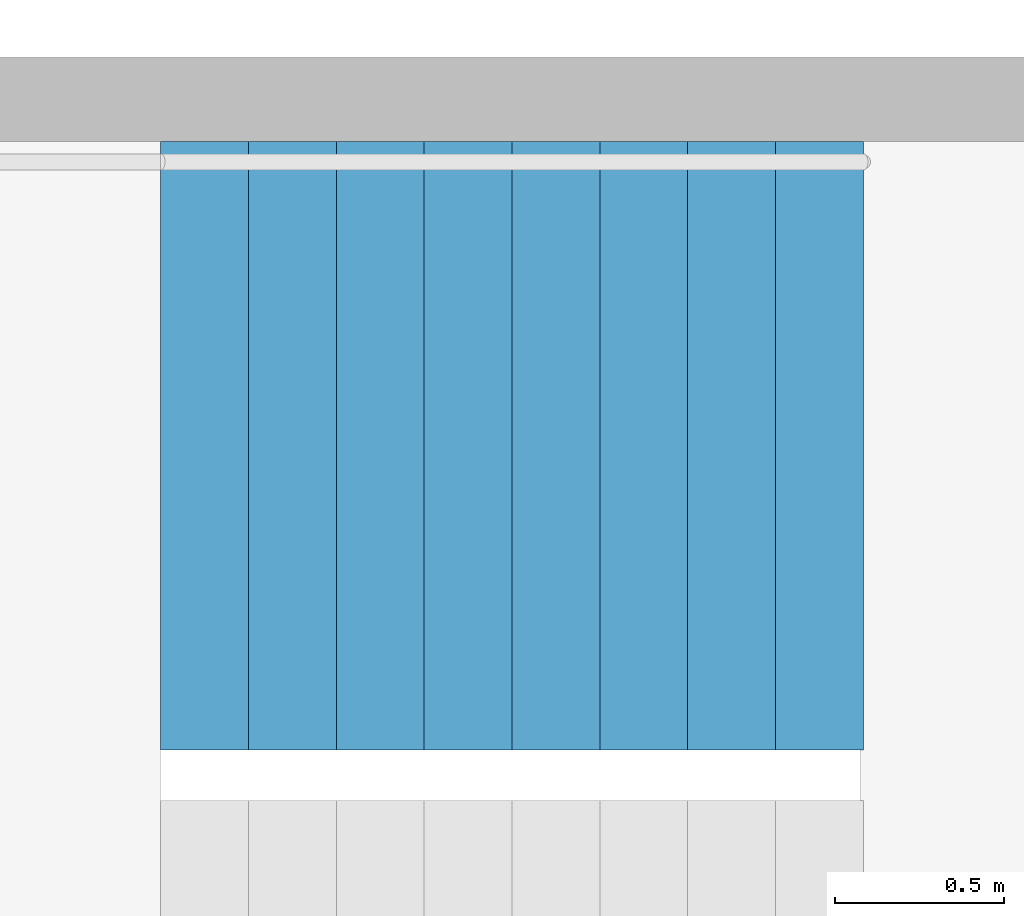
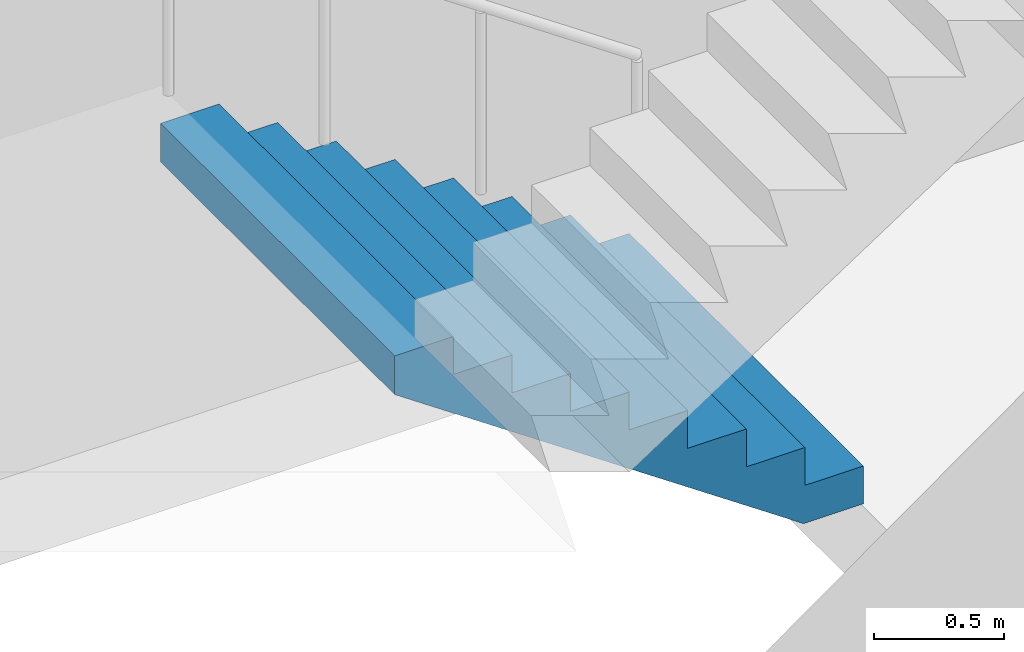
# One storey, part 34 of 42: 1 stair flight, 1 element without a shape of its own.
"""IFC4 building model written with IfcOpenShell, lengths in metres."""

from ifc_helpers import new_model, si_unit, direction, frame, origin, place, context, subcontext, project, spatial, triangles, material, type_object, element, aggregate, save


model = new_model("IFC4")

# Units and contexts
model_context = context("Model", 3, precision=1e-05, world=origin(), true_north=direction((0.0, 1.0)))
body_context = subcontext(model_context, "Body", "Model", "MODEL_VIEW")
ifc_project = project(units=[si_unit("LENGTHUNIT", "METRE"), si_unit("AREAUNIT", "SQUARE_METRE"), si_unit("VOLUMEUNIT", "CUBIC_METRE"), si_unit("PLANEANGLEUNIT", "RADIAN"), si_unit("MASSUNIT", "GRAM", prefix="KILO")], contexts=[model_context])

# Site, building, storey
site_placement = place(None, origin())
site = spatial("IfcSite", under=ifc_project, at=site_placement, CompositionType="ELEMENT")
building_placement = place(site_placement, origin())
building = spatial("IfcBuilding", under=site, at=building_placement, Name="Hakoniwa Tower and Hamabe Station Hall", CompositionType="ELEMENT")
storey_placement = place(building_placement, frame((0.0, 0.0, 19.800048828125)))
storey = spatial("IfcBuildingStorey", under=building, at=storey_placement, Name="L04", CompositionType="ELEMENT", Elevation=19.800048828125)

# Stair, stair flight
ifc_material_1 = material(Name="Concrete C40", Category="concrete")
stair_type = type_object("IfcStairType", Name="ESCAPE STAIR 1800", PredefinedType="HALF_TURN_STAIR", material=ifc_material_1)
stair_placement = place(storey_placement, origin())
stair = element("IfcStair", 1, at=stair_placement, inside=storey, type_object=stair_type, Name="Escape stair ST-2 L04", PredefinedType="HALF_TURN_STAIR")
ifc_material_2 = material(Name="Concrete C40", Category="concrete")
stair_flight_type = type_object("IfcStairFlightType", Name="STAIR FLIGHT 1800", PredefinedType="STRAIGHT", material=ifc_material_2)
stair_flight_placement = place(storey_placement, frame((-23.39990234375, -4.64990234375, 0.0), z_axis=(0.0, 0.0, 1.0), x_axis=(-1.0, 0.0, 0.0)))
stair_flight = element("IfcStairFlight", 2, at=stair_flight_placement, type_object=stair_flight_type, Name="ST-2 flight 1", NumberOfRisers=9, NumberOfTreads=8, PredefinedType="STRAIGHT", RiserHeight=0.177777778, TreadLength=0.26, context=body_context, shape_type="Tessellation", body=[
    triangles([(0.0, 0.89990234375, 0.0), (0.260009765625, 0.89990234375, 0.0), (0.265625, 0.89990234375, 0.0), (0.52001953125, 0.89990234375, 0.174072265625), (0.780029296875, 0.89990234375, 0.351806640625), (1.0400390625, 0.89990234375, 0.529541015625), (1.300048828125, 0.89990234375, 0.707275390625), (1.56005859375, 0.89990234375, 0.885009765625), (1.820068359375, 0.89990234375, 1.062744140625), (2.080078125, 0.89990234375, 1.24072265625), (2.080078125, 0.89990234375, 1.422119140625), (1.820068359375, 0.89990234375, 1.422119140625), (1.820068359375, 0.89990234375, 1.244384765625), (1.56005859375, 0.89990234375, 1.244384765625), (1.56005859375, 0.89990234375, 1.066650390625), (1.300048828125, 0.89990234375, 1.066650390625), (1.300048828125, 0.89990234375, 0.888916015625), (1.0400390625, 0.89990234375, 0.888916015625), (1.0400390625, 0.89990234375, 0.711181640625), (0.780029296875, 0.89990234375, 0.711181640625), (0.780029296875, 0.89990234375, 0.533447265625), (0.52001953125, 0.89990234375, 0.533447265625), (0.52001953125, 0.89990234375, 0.35546875), (0.265625, 0.89990234375, 0.35546875), (0.260009765625, 0.89990234375, 0.35546875), (0.260009765625, 0.89990234375, 0.177734375), (0.0, 0.89990234375, 0.177734375), (0.0, 0.06005859375, 0.0), (0.260009765625, 0.06005859375, 0.0), (0.265625, 0.06005859375, 0.0), (0.52001953125, 0.06005859375, 0.174072265625), (0.780029296875, 0.06005859375, 0.351806640625), (1.0400390625, 0.06005859375, 0.529541015625), (1.300048828125, 0.06005859375, 0.707275390625), (1.56005859375, 0.06005859375, 0.885009765625), (1.820068359375, 0.06005859375, 1.062744140625), (2.080078125, 0.06005859375, 1.24072265625), (2.080078125, 0.06005859375, 1.422119140625), (1.820068359375, 0.06005859375, 1.422119140625), (1.820068359375, 0.06005859375, 1.244384765625), (1.56005859375, 0.06005859375, 1.244384765625), (1.56005859375, 0.06005859375, 1.066650390625), (1.300048828125, 0.06005859375, 1.066650390625), (1.300048828125, 0.06005859375, 0.888916015625), (1.0400390625, 0.06005859375, 0.888916015625), (1.0400390625, 0.06005859375, 0.711181640625), (0.780029296875, 0.06005859375, 0.711181640625), (0.780029296875, 0.06005859375, 0.533447265625), (0.52001953125, 0.06005859375, 0.533447265625), (0.52001953125, 0.06005859375, 0.35546875), (0.265625, 0.06005859375, 0.35546875), (0.260009765625, 0.06005859375, 0.35546875), (0.260009765625, 0.06005859375, 0.177734375), (0.0, 0.06005859375, 0.177734375), (0.0, 0.04296875, 0.0), (0.260009765625, 0.04296875, 0.0), (0.265625, 0.04296875, 0.0), (0.52001953125, 0.04296875, 0.174072265625), (0.780029296875, 0.04296875, 0.351806640625), (1.0400390625, 0.04296875, 0.529541015625), (1.300048828125, 0.04296875, 0.707275390625), (1.56005859375, 0.04296875, 0.885009765625), (1.820068359375, 0.04296875, 1.062744140625), (2.080078125, 0.04296875, 1.24072265625), (2.080078125, 0.04296875, 1.422119140625), (1.820068359375, 0.04296875, 1.422119140625), (1.820068359375, 0.04296875, 1.244384765625), (1.56005859375, 0.04296875, 1.244384765625), (1.56005859375, 0.04296875, 1.066650390625), (1.300048828125, 0.04296875, 1.066650390625), (1.300048828125, 0.04296875, 0.888916015625), (1.0400390625, 0.04296875, 0.888916015625), (1.0400390625, 0.04296875, 0.711181640625), (0.780029296875, 0.04296875, 0.711181640625), (0.780029296875, 0.04296875, 0.533447265625), (0.52001953125, 0.04296875, 0.533447265625), (0.52001953125, 0.04296875, 0.35546875), (0.265625, 0.04296875, 0.35546875), (0.260009765625, 0.04296875, 0.35546875), (0.260009765625, 0.04296875, 0.177734375), (0.0, 0.04296875, 0.177734375), (0.0, 0.025634765625, 0.0), (0.260009765625, 0.025634765625, 0.0), (0.265625, 0.025634765625, 0.0), (0.52001953125, 0.025634765625, 0.174072265625), (0.780029296875, 0.025634765625, 0.351806640625), (1.0400390625, 0.025634765625, 0.529541015625), (1.300048828125, 0.025634765625, 0.707275390625), (1.56005859375, 0.025634765625, 0.885009765625), (1.820068359375, 0.025634765625, 1.062744140625), (2.080078125, 0.025634765625, 1.24072265625), (2.080078125, 0.025634765625, 1.422119140625), (1.820068359375, 0.025634765625, 1.422119140625), (1.820068359375, 0.025634765625, 1.244384765625), (1.56005859375, 0.025634765625, 1.244384765625), (1.56005859375, 0.025634765625, 1.066650390625), (1.300048828125, 0.025634765625, 1.066650390625), (1.300048828125, 0.025634765625, 0.888916015625), (1.0400390625, 0.025634765625, 0.888916015625), (1.0400390625, 0.025634765625, 0.711181640625), (0.780029296875, 0.025634765625, 0.711181640625), (0.780029296875, 0.025634765625, 0.533447265625), (0.52001953125, 0.025634765625, 0.533447265625), (0.52001953125, 0.025634765625, 0.35546875), (0.265625, 0.025634765625, 0.35546875), (0.260009765625, 0.025634765625, 0.35546875), (0.260009765625, 0.025634765625, 0.177734375), (0.0, 0.025634765625, 0.177734375), (0.0, 0.008544921875, 0.0), (0.260009765625, 0.008544921875, 0.0), (0.265625, 0.008544921875, 0.0), (0.52001953125, 0.008544921875, 0.174072265625), (0.780029296875, 0.008544921875, 0.351806640625), (1.0400390625, 0.008544921875, 0.529541015625), (1.300048828125, 0.008544921875, 0.707275390625), (1.56005859375, 0.008544921875, 0.885009765625), (1.820068359375, 0.008544921875, 1.062744140625), (2.080078125, 0.008544921875, 1.24072265625), (2.080078125, 0.008544921875, 1.422119140625), (1.820068359375, 0.008544921875, 1.422119140625), (1.820068359375, 0.008544921875, 1.244384765625), (1.56005859375, 0.008544921875, 1.244384765625), (1.56005859375, 0.008544921875, 1.066650390625), (1.300048828125, 0.008544921875, 1.066650390625), (1.300048828125, 0.008544921875, 0.888916015625), (1.0400390625, 0.008544921875, 0.888916015625), (1.0400390625, 0.008544921875, 0.711181640625), (0.780029296875, 0.008544921875, 0.711181640625), (0.780029296875, 0.008544921875, 0.533447265625), (0.52001953125, 0.008544921875, 0.533447265625), (0.52001953125, 0.008544921875, 0.35546875), (0.265625, 0.008544921875, 0.35546875), (0.260009765625, 0.008544921875, 0.35546875), (0.260009765625, 0.008544921875, 0.177734375), (0.0, 0.008544921875, 0.177734375), (0.0, -0.008544921875, 0.0), (0.260009765625, -0.008544921875, 0.0), (0.265625, -0.008544921875, 0.0), (0.52001953125, -0.008544921875, 0.174072265625), (0.780029296875, -0.008544921875, 0.351806640625), (1.0400390625, -0.008544921875, 0.529541015625), (1.300048828125, -0.008544921875, 0.707275390625), (1.56005859375, -0.008544921875, 0.885009765625), (1.820068359375, -0.008544921875, 1.062744140625), (2.080078125, -0.008544921875, 1.24072265625), (2.080078125, -0.008544921875, 1.422119140625), (1.820068359375, -0.008544921875, 1.422119140625), (1.820068359375, -0.008544921875, 1.244384765625), (1.56005859375, -0.008544921875, 1.244384765625), (1.56005859375, -0.008544921875, 1.066650390625), (1.300048828125, -0.008544921875, 1.066650390625), (1.300048828125, -0.008544921875, 0.888916015625), (1.0400390625, -0.008544921875, 0.888916015625), (1.0400390625, -0.008544921875, 0.711181640625), (0.780029296875, -0.008544921875, 0.711181640625), (0.780029296875, -0.008544921875, 0.533447265625), (0.52001953125, -0.008544921875, 0.533447265625), (0.52001953125, -0.008544921875, 0.35546875), (0.265625, -0.008544921875, 0.35546875), (0.260009765625, -0.008544921875, 0.35546875), (0.260009765625, -0.008544921875, 0.177734375), (0.0, -0.008544921875, 0.177734375), (0.0, -0.025634765625, 0.0), (0.260009765625, -0.025634765625, 0.0), (0.265625, -0.025634765625, 0.0), (0.52001953125, -0.025634765625, 0.174072265625), (0.780029296875, -0.025634765625, 0.351806640625), (1.0400390625, -0.025634765625, 0.529541015625), (1.300048828125, -0.025634765625, 0.707275390625), (1.56005859375, -0.025634765625, 0.885009765625), (1.820068359375, -0.025634765625, 1.062744140625), (2.080078125, -0.025634765625, 1.24072265625), (2.080078125, -0.025634765625, 1.422119140625), (1.820068359375, -0.025634765625, 1.422119140625), (1.820068359375, -0.025634765625, 1.244384765625), (1.56005859375, -0.025634765625, 1.244384765625), (1.56005859375, -0.025634765625, 1.066650390625), (1.300048828125, -0.025634765625, 1.066650390625), (1.300048828125, -0.025634765625, 0.888916015625), (1.0400390625, -0.025634765625, 0.888916015625), (1.0400390625, -0.025634765625, 0.711181640625), (0.780029296875, -0.025634765625, 0.711181640625), (0.780029296875, -0.025634765625, 0.533447265625), (0.52001953125, -0.025634765625, 0.533447265625), (0.52001953125, -0.025634765625, 0.35546875), (0.265625, -0.025634765625, 0.35546875), (0.260009765625, -0.025634765625, 0.35546875), (0.260009765625, -0.025634765625, 0.177734375), (0.0, -0.025634765625, 0.177734375), (0.0, -0.04296875, 0.0), (0.260009765625, -0.04296875, 0.0), (0.265625, -0.04296875, 0.0), (0.52001953125, -0.04296875, 0.174072265625), (0.780029296875, -0.04296875, 0.351806640625), (1.0400390625, -0.04296875, 0.529541015625), (1.300048828125, -0.04296875, 0.707275390625), (1.56005859375, -0.04296875, 0.885009765625), (1.820068359375, -0.04296875, 1.062744140625), (2.080078125, -0.04296875, 1.24072265625), (2.080078125, -0.04296875, 1.422119140625), (1.820068359375, -0.04296875, 1.422119140625), (1.820068359375, -0.04296875, 1.244384765625), (1.56005859375, -0.04296875, 1.244384765625), (1.56005859375, -0.04296875, 1.066650390625), (1.300048828125, -0.04296875, 1.066650390625), (1.300048828125, -0.04296875, 0.888916015625), (1.0400390625, -0.04296875, 0.888916015625), (1.0400390625, -0.04296875, 0.711181640625), (0.780029296875, -0.04296875, 0.711181640625), (0.780029296875, -0.04296875, 0.533447265625), (0.52001953125, -0.04296875, 0.533447265625), (0.52001953125, -0.04296875, 0.35546875), (0.265625, -0.04296875, 0.35546875), (0.260009765625, -0.04296875, 0.35546875), (0.260009765625, -0.04296875, 0.177734375), (0.0, -0.04296875, 0.177734375), (0.0, -0.06005859375, 0.0), (0.260009765625, -0.06005859375, 0.0), (0.265625, -0.06005859375, 0.0), (0.52001953125, -0.06005859375, 0.174072265625), (0.780029296875, -0.06005859375, 0.351806640625), (1.0400390625, -0.06005859375, 0.529541015625), (1.300048828125, -0.06005859375, 0.707275390625), (1.56005859375, -0.06005859375, 0.885009765625), (1.820068359375, -0.06005859375, 1.062744140625), (2.080078125, -0.06005859375, 1.24072265625), (2.080078125, -0.06005859375, 1.422119140625), (1.820068359375, -0.06005859375, 1.422119140625), (1.820068359375, -0.06005859375, 1.244384765625), (1.56005859375, -0.06005859375, 1.244384765625), (1.56005859375, -0.06005859375, 1.066650390625), (1.300048828125, -0.06005859375, 1.066650390625), (1.300048828125, -0.06005859375, 0.888916015625), (1.0400390625, -0.06005859375, 0.888916015625), (1.0400390625, -0.06005859375, 0.711181640625), (0.780029296875, -0.06005859375, 0.711181640625), (0.780029296875, -0.06005859375, 0.533447265625), (0.52001953125, -0.06005859375, 0.533447265625), (0.52001953125, -0.06005859375, 0.35546875), (0.265625, -0.06005859375, 0.35546875), (0.260009765625, -0.06005859375, 0.35546875), (0.260009765625, -0.06005859375, 0.177734375), (0.0, -0.06005859375, 0.177734375), (0.0, -0.89990234375, 0.0), (0.260009765625, -0.89990234375, 0.0), (0.265625, -0.89990234375, 0.0), (0.52001953125, -0.89990234375, 0.174072265625), (0.780029296875, -0.89990234375, 0.351806640625), (1.0400390625, -0.89990234375, 0.529541015625), (1.300048828125, -0.89990234375, 0.707275390625), (1.56005859375, -0.89990234375, 0.885009765625), (1.820068359375, -0.89990234375, 1.062744140625), (2.080078125, -0.89990234375, 1.24072265625), (2.080078125, -0.89990234375, 1.422119140625), (1.820068359375, -0.89990234375, 1.422119140625), (1.820068359375, -0.89990234375, 1.244384765625), (1.56005859375, -0.89990234375, 1.244384765625), (1.56005859375, -0.89990234375, 1.066650390625), (1.300048828125, -0.89990234375, 1.066650390625), (1.300048828125, -0.89990234375, 0.888916015625), (1.0400390625, -0.89990234375, 0.888916015625), (1.0400390625, -0.89990234375, 0.711181640625), (0.780029296875, -0.89990234375, 0.711181640625), (0.780029296875, -0.89990234375, 0.533447265625), (0.52001953125, -0.89990234375, 0.533447265625), (0.52001953125, -0.89990234375, 0.35546875), (0.265625, -0.89990234375, 0.35546875), (0.260009765625, -0.89990234375, 0.35546875), (0.260009765625, -0.89990234375, 0.177734375), (0.0, -0.89990234375, 0.177734375)], [[2, 27, 26], [245, 269, 270], [2, 1, 27], [245, 270, 244], [3, 25, 24], [246, 267, 268], [3, 26, 25], [246, 268, 269], [3, 2, 26], [246, 269, 245], [4, 24, 23], [247, 266, 267], [4, 3, 24], [247, 267, 246], [5, 22, 21], [248, 264, 265], [5, 23, 22], [248, 265, 266], [5, 4, 23], [248, 266, 247], [6, 20, 19], [249, 262, 263], [6, 21, 20], [249, 263, 264], [6, 5, 21], [249, 264, 248], [7, 18, 17], [250, 260, 261], [7, 19, 18], [250, 261, 262], [7, 6, 19], [250, 262, 249], [8, 16, 15], [251, 258, 259], [8, 17, 16], [251, 259, 260], [8, 7, 17], [251, 260, 250], [9, 14, 13], [252, 256, 257], [9, 15, 14], [252, 257, 258], [9, 8, 15], [252, 258, 251], [10, 12, 11], [253, 254, 255], [10, 13, 12], [253, 255, 256], [10, 9, 13], [253, 256, 252], [1, 2, 29], [1, 29, 28], [28, 29, 56], [28, 56, 55], [55, 56, 83], [55, 83, 82], [82, 83, 110], [82, 110, 109], [109, 110, 137], [109, 137, 136], [136, 137, 164], [136, 164, 163], [163, 164, 191], [163, 191, 190], [190, 191, 218], [190, 218, 217], [217, 218, 245], [217, 245, 244], [2, 3, 30], [2, 30, 29], [29, 30, 57], [29, 57, 56], [56, 57, 84], [56, 84, 83], [83, 84, 111], [83, 111, 110], [110, 111, 138], [110, 138, 137], [137, 138, 165], [137, 165, 164], [164, 165, 192], [164, 192, 191], [191, 192, 219], [191, 219, 218], [218, 219, 246], [218, 246, 245], [3, 4, 31], [3, 31, 30], [30, 31, 58], [30, 58, 57], [57, 58, 85], [57, 85, 84], [84, 85, 112], [84, 112, 111], [111, 112, 139], [111, 139, 138], [138, 139, 166], [138, 166, 165], [165, 166, 193], [165, 193, 192], [192, 193, 220], [192, 220, 219], [219, 220, 247], [219, 247, 246], [4, 5, 32], [4, 32, 31], [31, 32, 59], [31, 59, 58], [58, 59, 86], [58, 86, 85], [85, 86, 113], [85, 113, 112], [112, 113, 140], [112, 140, 139], [139, 140, 167], [139, 167, 166], [166, 167, 194], [166, 194, 193], [193, 194, 221], [193, 221, 220], [220, 221, 248], [220, 248, 247], [5, 6, 33], [5, 33, 32], [32, 33, 60], [32, 60, 59], [59, 60, 87], [59, 87, 86], [86, 87, 114], [86, 114, 113], [113, 114, 141], [113, 141, 140], [140, 141, 168], [140, 168, 167], [167, 168, 195], [167, 195, 194], [194, 195, 222], [194, 222, 221], [221, 222, 249], [221, 249, 248], [6, 7, 34], [6, 34, 33], [33, 34, 61], [33, 61, 60], [60, 61, 88], [60, 88, 87], [87, 88, 115], [87, 115, 114], [114, 115, 142], [114, 142, 141], [141, 142, 169], [141, 169, 168], [168, 169, 196], [168, 196, 195], [195, 196, 223], [195, 223, 222], [222, 223, 250], [222, 250, 249], [7, 8, 35], [7, 35, 34], [34, 35, 62], [34, 62, 61], [61, 62, 89], [61, 89, 88], [88, 89, 116], [88, 116, 115], [115, 116, 143], [115, 143, 142], [142, 143, 170], [142, 170, 169], [169, 170, 197], [169, 197, 196], [196, 197, 224], [196, 224, 223], [223, 224, 251], [223, 251, 250], [8, 9, 36], [8, 36, 35], [35, 36, 63], [35, 63, 62], [62, 63, 90], [62, 90, 89], [89, 90, 117], [89, 117, 116], [116, 117, 144], [116, 144, 143], [143, 144, 171], [143, 171, 170], [170, 171, 198], [170, 198, 197], [197, 198, 225], [197, 225, 224], [224, 225, 252], [224, 252, 251], [9, 10, 37], [9, 37, 36], [36, 37, 64], [36, 64, 63], [63, 64, 91], [63, 91, 90], [90, 91, 118], [90, 118, 117], [117, 118, 145], [117, 145, 144], [144, 145, 172], [144, 172, 171], [171, 172, 199], [171, 199, 198], [198, 199, 226], [198, 226, 225], [225, 226, 253], [225, 253, 252], [10, 11, 38], [10, 38, 37], [37, 38, 65], [37, 65, 64], [64, 65, 92], [64, 92, 91], [91, 92, 119], [91, 119, 118], [118, 119, 146], [118, 146, 145], [145, 146, 173], [145, 173, 172], [172, 173, 200], [172, 200, 199], [199, 200, 227], [199, 227, 226], [226, 227, 254], [226, 254, 253], [11, 12, 39], [11, 39, 38], [38, 39, 66], [38, 66, 65], [65, 66, 93], [65, 93, 92], [92, 93, 120], [92, 120, 119], [119, 120, 147], [119, 147, 146], [146, 147, 174], [146, 174, 173], [173, 174, 201], [173, 201, 200], [200, 201, 228], [200, 228, 227], [227, 228, 255], [227, 255, 254], [12, 13, 40], [12, 40, 39], [39, 40, 67], [39, 67, 66], [66, 67, 94], [66, 94, 93], [93, 94, 121], [93, 121, 120], [120, 121, 148], [120, 148, 147], [147, 148, 175], [147, 175, 174], [174, 175, 202], [174, 202, 201], [201, 202, 229], [201, 229, 228], [228, 229, 256], [228, 256, 255], [13, 14, 41], [13, 41, 40], [40, 41, 68], [40, 68, 67], [67, 68, 95], [67, 95, 94], [94, 95, 122], [94, 122, 121], [121, 122, 149], [121, 149, 148], [148, 149, 176], [148, 176, 175], [175, 176, 203], [175, 203, 202], [202, 203, 230], [202, 230, 229], [229, 230, 257], [229, 257, 256], [14, 15, 42], [14, 42, 41], [41, 42, 69], [41, 69, 68], [68, 69, 96], [68, 96, 95], [95, 96, 123], [95, 123, 122], [122, 123, 150], [122, 150, 149], [149, 150, 177], [149, 177, 176], [176, 177, 204], [176, 204, 203], [203, 204, 231], [203, 231, 230], [230, 231, 258], [230, 258, 257], [15, 16, 43], [15, 43, 42], [42, 43, 70], [42, 70, 69], [69, 70, 97], [69, 97, 96], [96, 97, 124], [96, 124, 123], [123, 124, 151], [123, 151, 150], [150, 151, 178], [150, 178, 177], [177, 178, 205], [177, 205, 204], [204, 205, 232], [204, 232, 231], [231, 232, 259], [231, 259, 258], [16, 17, 44], [16, 44, 43], [43, 44, 71], [43, 71, 70], [70, 71, 98], [70, 98, 97], [97, 98, 125], [97, 125, 124], [124, 125, 152], [124, 152, 151], [151, 152, 179], [151, 179, 178], [178, 179, 206], [178, 206, 205], [205, 206, 233], [205, 233, 232], [232, 233, 260], [232, 260, 259], [17, 18, 45], [17, 45, 44], [44, 45, 72], [44, 72, 71], [71, 72, 99], [71, 99, 98], [98, 99, 126], [98, 126, 125], [125, 126, 153], [125, 153, 152], [152, 153, 180], [152, 180, 179], [179, 180, 207], [179, 207, 206], [206, 207, 234], [206, 234, 233], [233, 234, 261], [233, 261, 260], [18, 19, 46], [18, 46, 45], [45, 46, 73], [45, 73, 72], [72, 73, 100], [72, 100, 99], [99, 100, 127], [99, 127, 126], [126, 127, 154], [126, 154, 153], [153, 154, 181], [153, 181, 180], [180, 181, 208], [180, 208, 207], [207, 208, 235], [207, 235, 234], [234, 235, 262], [234, 262, 261], [19, 20, 47], [19, 47, 46], [46, 47, 74], [46, 74, 73], [73, 74, 101], [73, 101, 100], [100, 101, 128], [100, 128, 127], [127, 128, 155], [127, 155, 154], [154, 155, 182], [154, 182, 181], [181, 182, 209], [181, 209, 208], [208, 209, 236], [208, 236, 235], [235, 236, 263], [235, 263, 262], [20, 21, 48], [20, 48, 47], [47, 48, 75], [47, 75, 74], [74, 75, 102], [74, 102, 101], [101, 102, 129], [101, 129, 128], [128, 129, 156], [128, 156, 155], [155, 156, 183], [155, 183, 182], [182, 183, 210], [182, 210, 209], [209, 210, 237], [209, 237, 236], [236, 237, 264], [236, 264, 263], [21, 22, 49], [21, 49, 48], [48, 49, 76], [48, 76, 75], [75, 76, 103], [75, 103, 102], [102, 103, 130], [102, 130, 129], [129, 130, 157], [129, 157, 156], [156, 157, 184], [156, 184, 183], [183, 184, 211], [183, 211, 210], [210, 211, 238], [210, 238, 237], [237, 238, 265], [237, 265, 264], [22, 23, 50], [22, 50, 49], [49, 50, 77], [49, 77, 76], [76, 77, 104], [76, 104, 103], [103, 104, 131], [103, 131, 130], [130, 131, 158], [130, 158, 157], [157, 158, 185], [157, 185, 184], [184, 185, 212], [184, 212, 211], [211, 212, 239], [211, 239, 238], [238, 239, 266], [238, 266, 265], [23, 24, 51], [23, 51, 50], [50, 51, 78], [50, 78, 77], [77, 78, 105], [77, 105, 104], [104, 105, 132], [104, 132, 131], [131, 132, 159], [131, 159, 158], [158, 159, 186], [158, 186, 185], [185, 186, 213], [185, 213, 212], [212, 213, 240], [212, 240, 239], [239, 240, 267], [239, 267, 266], [24, 25, 52], [24, 52, 51], [51, 52, 79], [51, 79, 78], [78, 79, 106], [78, 106, 105], [105, 106, 133], [105, 133, 132], [132, 133, 160], [132, 160, 159], [159, 160, 187], [159, 187, 186], [186, 187, 214], [186, 214, 213], [213, 214, 241], [213, 241, 240], [240, 241, 268], [240, 268, 267], [25, 26, 53], [25, 53, 52], [52, 53, 80], [52, 80, 79], [79, 80, 107], [79, 107, 106], [106, 107, 134], [106, 134, 133], [133, 134, 161], [133, 161, 160], [160, 161, 188], [160, 188, 187], [187, 188, 215], [187, 215, 214], [214, 215, 242], [214, 242, 241], [241, 242, 269], [241, 269, 268], [26, 27, 54], [26, 54, 53], [53, 54, 81], [53, 81, 80], [80, 81, 108], [80, 108, 107], [107, 108, 135], [107, 135, 134], [134, 135, 162], [134, 162, 161], [161, 162, 189], [161, 189, 188], [188, 189, 216], [188, 216, 215], [215, 216, 243], [215, 243, 242], [242, 243, 270], [242, 270, 269], [27, 1, 28], [27, 28, 54], [54, 28, 55], [54, 55, 81], [81, 55, 82], [81, 82, 108], [108, 82, 109], [108, 109, 135], [135, 109, 136], [135, 136, 162], [162, 136, 163], [162, 163, 189], [189, 163, 190], [189, 190, 216], [216, 190, 217], [216, 217, 243], [243, 217, 244], [243, 244, 270]], closed=True),
])
aggregate(stair, [stair_flight])

save(model, "model.ifc")
